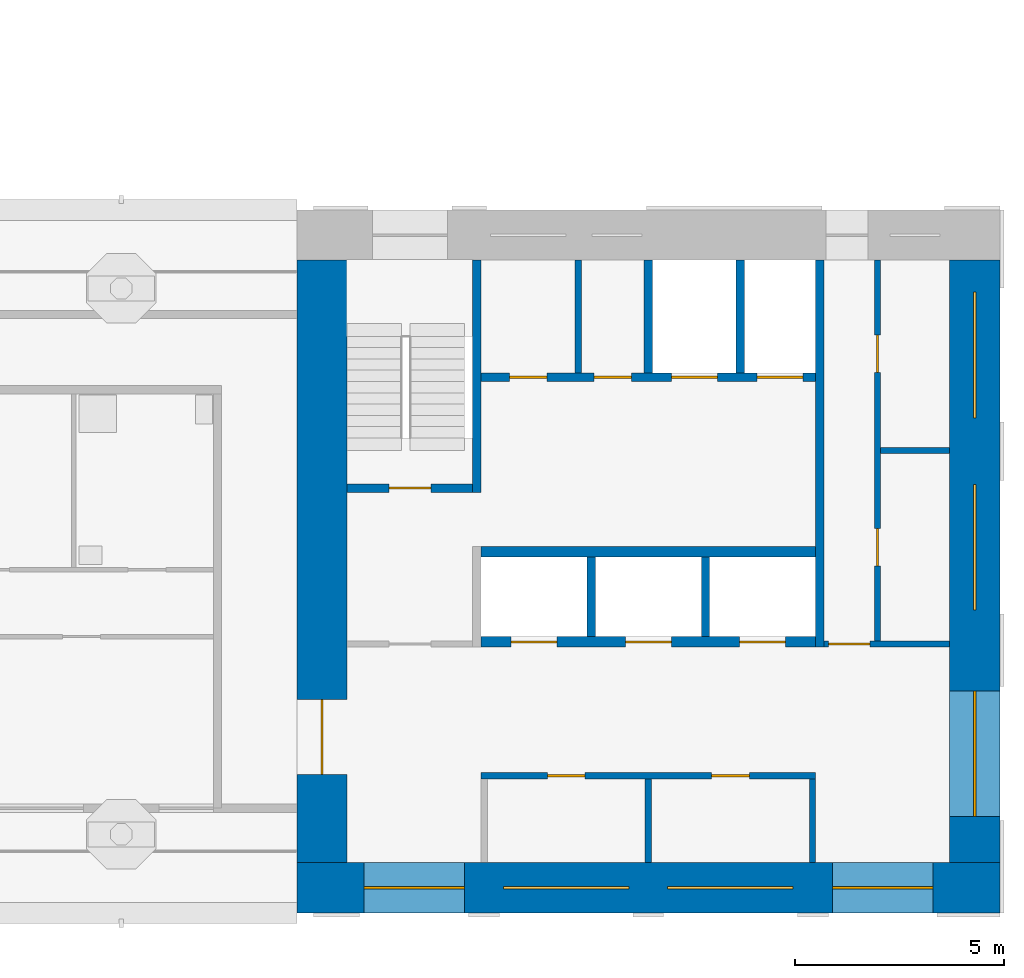
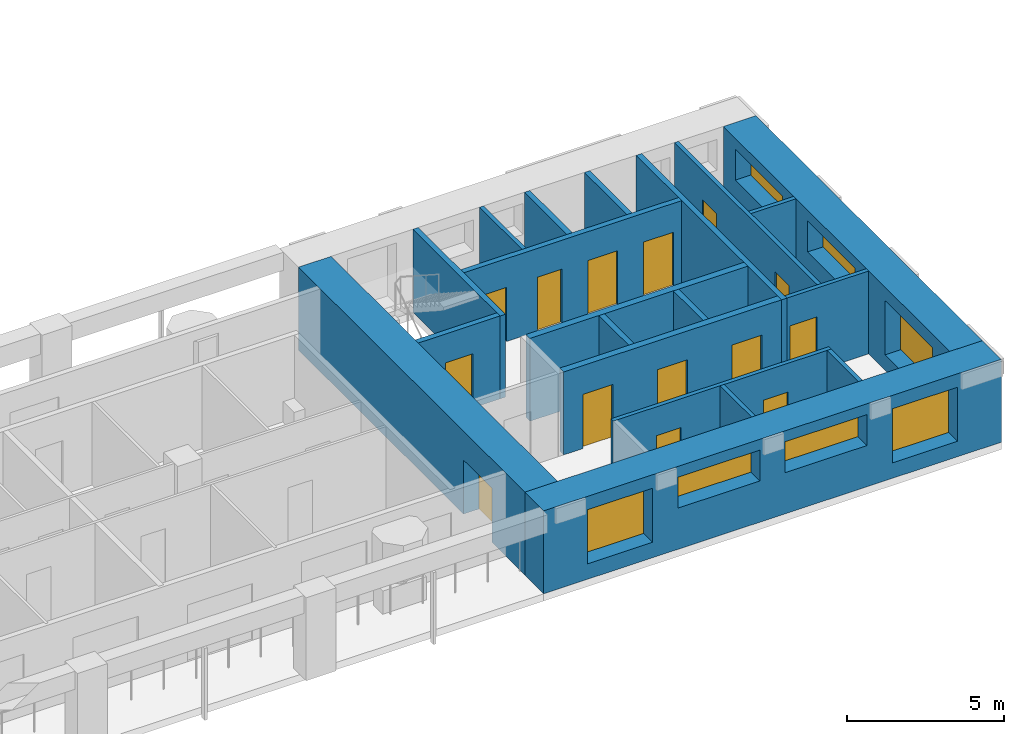
# One storey, part 4 of 11: 20 walls, 14 doors, 7 windows, 21 openings.
"""IFC4 building model written with IfcOpenShell, lengths in metres."""

from ifc_helpers import new_model, si_unit, direction, frame, frame_2d, origin, place, context, subcontext, project, spatial, rectangle, extrude, material, layer, layer_set, type_object, element, fill, save


model = new_model("IFC4")

# Units and contexts
model_context = context("Model", 3, precision=1e-05, world=origin(), true_north=direction((0.0, 1.0)))
body_context = subcontext(model_context, "Body", "Model", "MODEL_VIEW")
ifc_project = project(units=[si_unit("LENGTHUNIT", "METRE"), si_unit("AREAUNIT", "SQUARE_METRE"), si_unit("VOLUMEUNIT", "CUBIC_METRE"), si_unit("PLANEANGLEUNIT", "RADIAN"), si_unit("MASSUNIT", "GRAM", prefix="KILO")], contexts=[model_context])

# Site, building, storey
site_placement = place(None, origin())
site = spatial("IfcSite", under=ifc_project, at=site_placement, CompositionType="ELEMENT")
building_placement = place(site_placement, origin())
building = spatial("IfcBuilding", under=site, at=building_placement, Name="Vermilion Gate Residences", CompositionType="ELEMENT")
storey_placement = place(building_placement, frame((0.0, 0.0, 259.699951171875)))
storey = spatial("IfcBuildingStorey", under=building, at=storey_placement, Name="L68", CompositionType="ELEMENT", Elevation=259.699951171875)

# Walls
ifc_material_1 = material(Name="Masonry blockwork", Category="masonry")
ifc_layer_1 = layer(ifc_material_1, 0.14990234375)
ifc_layer_set_1 = layer_set([ifc_layer_1], Name="BLOCKWORK PARTITION 150 EI 120")
wall_type_1 = type_object("IfcWallType", Name="BLOCKWORK PARTITION 150 EI 120", PredefinedType="PARTITIONING", material=ifc_layer_set_1)
for number, where, z_axis, x_axis, name in (
    (1, (54.324951171875, 9.60009765625, 0.0), (0.0, 0.0, 1.0), (0.0, 1.0, 0.0), "Core room partition A68-RW-E"),
    (2, (50.39990234375, 9.60009765625, 0.0), (0.0, 0.0, 1.0), (0.0, 1.0, 0.0), "Core room partition A68-SR-P0"),
):
    element("IfcWall", number, at=place(storey_placement, frame(where, z_axis=z_axis, x_axis=x_axis)), inside=storey, type_object=wall_type_1, Name=name, PredefinedType="PARTITIONING", context=body_context, shape_type="SweptSolid", body=[
        extrude(rectangle(XDim=2.0, YDim=0.14990234375, at=frame_2d((1.0, 0.0))), origin(), (0.0, 0.0, 1.0), 3.219970703125),
    ])

# Wall, openings, doors
wall_1_placement = place(storey_placement, frame((46.39990234375, 11.675048828125, 0.0), z_axis=(0.0, 0.0, 1.0), x_axis=(1.0, 0.0, 0.0)))
wall_1 = element("IfcWall", 3, at=wall_1_placement, inside=storey, type_object=wall_type_1, Name="Core room partition A68-LR-F", PredefinedType="PARTITIONING", context=body_context, shape_type="SweptSolid", body=[
    extrude(rectangle(XDim=8.0, YDim=0.14990234375, at=frame_2d((4.0, 0.0))), origin(), (0.0, 0.0, 1.0), 3.219970703125),
])
opening_1_placement = place(wall_1_placement, frame((1.58740234375, 0.0, 0.0)))
opening_1 = element("IfcOpeningElement", 4, at=opening_1_placement, cuts=wall_1, Name="Opening DK68002", PredefinedType="OPENING", context=body_context, shape_type="SweptSolid", body=[
    extrude(rectangle(XDim=0.89990234375, YDim=2.10009765625, at=frame_2d((0.449951171875, 1.050048828125))), frame((0.0, 0.0849609375, 0.0), z_axis=(0.0, -1.0, 0.0), x_axis=(1.0, 0.0, 0.0)), (0.0, 0.0, 1.0), 0.169921875),
])
opening_2_placement = place(wall_1_placement, frame((5.512451171875, 0.0, 0.0)))
opening_2 = element("IfcOpeningElement", 5, at=opening_2_placement, cuts=wall_1, Name="Opening DK68003", PredefinedType="OPENING", context=body_context, shape_type="SweptSolid", body=[
    extrude(rectangle(XDim=0.89990234375, YDim=2.10009765625, at=frame_2d((0.449951171875, 1.050048828125))), frame((0.0, 0.0849609375, 0.0), z_axis=(0.0, -1.0, 0.0), x_axis=(1.0, 0.0, 0.0)), (0.0, 0.0, 1.0), 0.169921875),
])
ifc_material_2 = material(Name="Steel", Category="steel")
door_type_1 = type_object("IfcDoorType", Name="SERVICE ROOM DOOR FD60 900 X 2100", OperationType="SINGLE_SWING_LEFT", PredefinedType="DOOR", material=ifc_material_2)
door_1_placement = place(opening_1_placement, frame((0.89990234375, 0.0, 0.0), z_axis=(0.0, 0.0, 1.0), x_axis=(-1.0, 0.0, 0.0)))
door_1 = element("IfcDoor", 6, at=door_1_placement, inside=storey, type_object=door_type_1, Name="Housekeeping store A68", OperationType="SINGLE_SWING_RIGHT", OverallHeight=2.10009765625, OverallWidth=0.89990234375, PredefinedType="DOOR", context=body_context, shape_type="SweptSolid", body=[
    extrude(rectangle(XDim=0.89990234375, YDim=2.10009765625, at=frame_2d((0.449951171875, 1.050048828125))), frame((0.0, 0.02490234375, 0.0), z_axis=(0.0, -1.0, 0.0), x_axis=(1.0, 0.0, 0.0)), (0.0, 0.0, 1.0), 0.050048828125),
])
fill(opening_1, door_1)
door_2_placement = place(opening_2_placement, frame((0.89990234375, 0.0, 0.0), z_axis=(0.0, 0.0, 1.0), x_axis=(-1.0, 0.0, 0.0)))
door_2 = element("IfcDoor", 7, at=door_2_placement, inside=storey, type_object=door_type_1, Name="Fire equipment store A68", OperationType="SINGLE_SWING_RIGHT", OverallHeight=2.10009765625, OverallWidth=0.89990234375, PredefinedType="DOOR", context=body_context, shape_type="SweptSolid", body=[
    extrude(rectangle(XDim=0.89990234375, YDim=2.10009765625, at=frame_2d((0.449951171875, 1.050048828125))), frame((0.0, 0.02490234375, 0.0), z_axis=(0.0, -1.0, 0.0), x_axis=(1.0, 0.0, 0.0)), (0.0, 0.0, 1.0), 0.050048828125),
])
fill(opening_2, door_2)

# Wall
wall_2_placement = place(storey_placement, frame((48.72509765625, 21.300048828125, 0.0), z_axis=(0.0, 0.0, 1.0), x_axis=(0.0, 1.0, 0.0)))
element("IfcWall", 8, at=wall_2_placement, inside=storey, type_object=wall_type_1, Name="Core room partition A68-NR-P0", PredefinedType="PARTITIONING", context=body_context, shape_type="SweptSolid", body=[
    extrude(rectangle(XDim=2.699951171875, YDim=0.14990234375, at=frame_2d((1.35009765625, 0.0))), origin(), (0.0, 0.0, 1.0), 3.219970703125),
])

# Wall, opening, door
wall_3_placement = place(storey_placement, frame((54.60009765625, 14.824951171875, 0.0), z_axis=(0.0, 0.0, 1.0), x_axis=(1.0, 0.0, 0.0)))
wall_3 = element("IfcWall", 9, at=wall_3_placement, inside=storey, type_object=wall_type_1, Name="Core room partition A68-ES-S", PredefinedType="PARTITIONING", context=body_context, shape_type="SweptSolid", body=[
    extrude(rectangle(XDim=3.0, YDim=0.14990234375, at=frame_2d((1.5, 0.0))), origin(), (0.0, 0.0, 1.0), 3.219970703125),
])
opening_3_placement = place(wall_3_placement, frame((0.10009765625, 0.0, 0.0)))
opening_3 = element("IfcOpeningElement", 10, at=opening_3_placement, cuts=wall_3, Name="Opening DK68013", PredefinedType="OPENING", context=body_context, shape_type="SweptSolid", body=[
    extrude(rectangle(XDim=1.0, YDim=2.10009765625, at=frame_2d((0.5, 1.050048828125))), frame((0.0, 0.0849609375, 0.0), z_axis=(0.0, -1.0, 0.0), x_axis=(1.0, 0.0, 0.0)), (0.0, 0.0, 1.0), 0.169921875),
])
ifc_material_3 = material(Name="Steel", Category="steel")
door_type_2 = type_object("IfcDoorType", Name="FIRE DOOR FD60 1000 X 2100", OperationType="SINGLE_SWING_LEFT", PredefinedType="DOOR", material=ifc_material_3)
door_3_placement = place(opening_3_placement, frame((1.0, 0.0, 0.0), z_axis=(0.0, 0.0, 1.0), x_axis=(-1.0, 0.0, 0.0)))
door_3 = element("IfcDoor", 11, at=door_3_placement, inside=storey, type_object=door_type_2, Name="Service corridor door A68", OperationType="SINGLE_SWING_LEFT", OverallHeight=2.10009765625, OverallWidth=1.0, PredefinedType="DOOR", context=body_context, shape_type="SweptSolid", body=[
    extrude(rectangle(XDim=1.0, YDim=2.10009765625, at=frame_2d((0.5, 1.050048828125))), frame((0.0, 0.02490234375, 0.0), z_axis=(0.0, -1.0, 0.0), x_axis=(1.0, 0.0, 0.0)), (0.0, 0.0, 1.0), 0.050048828125),
])
fill(opening_3, door_3)

# Wall
wall_4_placement = place(storey_placement, frame((55.949951171875, 19.449951171875, 0.0), z_axis=(0.0, 0.0, 1.0), x_axis=(1.0, 0.0, 0.0)))
element("IfcWall", 12, at=wall_4_placement, inside=storey, type_object=wall_type_1, Name="Core room partition A68-ES-P0", PredefinedType="PARTITIONING", context=body_context, shape_type="SweptSolid", body=[
    extrude(rectangle(XDim=1.650146484375, YDim=0.14990234375, at=frame_2d((0.8251953125, 0.0))), origin(), (0.0, 0.0, 1.0), 3.219970703125),
])

# Wall, openings, doors
wall_5_placement = place(storey_placement, frame((55.875, 14.89990234375, 0.0), z_axis=(0.0, 0.0, 1.0), x_axis=(0.0, 1.0, 0.0)))
wall_5 = element("IfcWall", 13, at=wall_5_placement, inside=storey, type_object=wall_type_1, Name="Core room partition A68-ES-W", PredefinedType="PARTITIONING", context=body_context, shape_type="SweptSolid", body=[
    extrude(rectangle(XDim=9.10009765625, YDim=0.14990234375, at=frame_2d((4.550048828125, 0.0))), origin(), (0.0, 0.0, 1.0), 3.219970703125),
])
opening_4_placement = place(wall_5_placement, frame((1.78759765625, 0.0, 0.0)))
opening_4 = element("IfcOpeningElement", 14, at=opening_4_placement, cuts=wall_5, Name="Opening DK68014", PredefinedType="OPENING", context=body_context, shape_type="SweptSolid", body=[
    extrude(rectangle(XDim=0.89990234375, YDim=2.10009765625, at=frame_2d((0.449951171875, 1.050048828125))), frame((0.0, 0.0849609375, 0.0), z_axis=(0.0, -1.0, 0.0), x_axis=(1.0, 0.0, 0.0)), (0.0, 0.0, 1.0), 0.169921875),
])
opening_5_placement = place(wall_5_placement, frame((6.41259765625, 0.0, 0.0)))
opening_5 = element("IfcOpeningElement", 15, at=opening_5_placement, cuts=wall_5, Name="Opening DK68015", PredefinedType="OPENING", context=body_context, shape_type="SweptSolid", body=[
    extrude(rectangle(XDim=0.89990234375, YDim=2.10009765625, at=frame_2d((0.449951171875, 1.050048828125))), frame((0.0, 0.0849609375, 0.0), z_axis=(0.0, -1.0, 0.0), x_axis=(1.0, 0.0, 0.0)), (0.0, 0.0, 1.0), 0.169921875),
])
door_4_placement = place(opening_4_placement, frame((0.89990234375, 0.0, 0.0), z_axis=(0.0, 0.0, 1.0), x_axis=(-1.0, 0.0, 0.0)))
door_4 = element("IfcDoor", 16, at=door_4_placement, inside=storey, type_object=door_type_1, Name="Electrical room A68", OperationType="SINGLE_SWING_RIGHT", OverallHeight=2.10009765625, OverallWidth=0.89990234375, PredefinedType="DOOR", context=body_context, shape_type="SweptSolid", body=[
    extrude(rectangle(XDim=0.89990234375, YDim=2.10009765625, at=frame_2d((0.449951171875, 1.050048828125))), frame((0.0, 0.02490234375, 0.0), z_axis=(0.0, -1.0, 0.0), x_axis=(1.0, 0.0, 0.0)), (0.0, 0.0, 1.0), 0.050048828125),
])
fill(opening_4, door_4)
door_5_placement = place(opening_5_placement, frame((0.89990234375, 0.0, 0.0), z_axis=(0.0, 0.0, 1.0), x_axis=(-1.0, 0.0, 0.0)))
door_5 = element("IfcDoor", 17, at=door_5_placement, inside=storey, type_object=door_type_1, Name="Storage room A68", OperationType="SINGLE_SWING_RIGHT", OverallHeight=2.10009765625, OverallWidth=0.89990234375, PredefinedType="DOOR", context=body_context, shape_type="SweptSolid", body=[
    extrude(rectangle(XDim=0.89990234375, YDim=2.10009765625, at=frame_2d((0.449951171875, 1.050048828125))), frame((0.0, 0.02490234375, 0.0), z_axis=(0.0, -1.0, 0.0), x_axis=(1.0, 0.0, 0.0)), (0.0, 0.0, 1.0), 0.050048828125),
])
fill(opening_5, door_5)

# Walls
ifc_material_4 = material(Name="Concrete C60", Category="concrete")
ifc_layer_2 = layer(ifc_material_4, 0.199951171875)
ifc_layer_set_2 = layer_set([ifc_layer_2], Name="RC CORE INTERNAL WALL 200 C60")
wall_type_2 = type_object("IfcWallType", Name="RC CORE INTERNAL WALL 200 C60", PredefinedType="SHEAR", material=ifc_layer_set_2)
for number, where, z_axis, x_axis, name in (
    (18, (49.033447265625, 15.0, 0.0), (0.0, 0.0, 1.0), (0.0, 1.0, 0.0), "Core internal wall A68-HR-D1"),
    (19, (51.7666015625, 15.0, 0.0), (0.0, 0.0, 1.0), (0.0, 1.0, 0.0), "Core internal wall A68-HR-D2"),
):
    element("IfcWall", number, at=place(storey_placement, frame(where, z_axis=z_axis, x_axis=x_axis)), inside=storey, type_object=wall_type_2, Name=name, PredefinedType="SHEAR", context=body_context, shape_type="SweptSolid", body=[
        extrude(rectangle(XDim=1.89990234375, YDim=0.199951171875, at=frame_2d((0.949951171875, 0.0))), origin(), (0.0, 0.0, 1.0), 3.219970703125),
    ])
for number, where, z_axis, x_axis, name in (
    (20, (50.39990234375, 21.300048828125, 0.0), (0.0, 0.0, 1.0), (0.0, 1.0, 0.0), "Core internal wall A68-FF-D0"),
    (21, (52.60009765625, 21.300048828125, 0.0), (0.0, 0.0, 1.0), (0.0, 1.0, 0.0), "Core internal wall A68-FF-D1"),
):
    element("IfcWall", number, at=place(storey_placement, frame(where, z_axis=z_axis, x_axis=x_axis)), inside=storey, type_object=wall_type_2, Name=name, PredefinedType="SHEAR", context=body_context, shape_type="SweptSolid", body=[
        extrude(rectangle(XDim=2.699951171875, YDim=0.199951171875, at=frame_2d((1.35009765625, 0.0))), origin(), (0.0, 0.0, 1.0), 3.219970703125),
    ])

# Wall, openings, doors
wall_6_placement = place(storey_placement, frame((46.39990234375, 21.199951171875, 0.0), z_axis=(0.0, 0.0, 1.0), x_axis=(1.0, 0.0, 0.0)))
wall_6 = element("IfcWall", 22, at=wall_6_placement, inside=storey, type_object=wall_type_2, Name="Core internal wall A68-FF-F", PredefinedType="SHEAR", context=body_context, shape_type="SweptSolid", body=[
    extrude(rectangle(XDim=8.0, YDim=0.199951171875, at=frame_2d((4.0, 0.0))), origin(), (0.0, 0.0, 1.0), 3.219970703125),
])
opening_6_placement = place(wall_6_placement, frame((0.675048828125, 0.0, 0.0)))
opening_6 = element("IfcOpeningElement", 23, at=opening_6_placement, cuts=wall_6, Name="Opening DK68007", PredefinedType="OPENING", context=body_context, shape_type="SweptSolid", body=[
    extrude(rectangle(XDim=0.89990234375, YDim=2.10009765625, at=frame_2d((0.449951171875, 1.050048828125))), frame((0.0, 0.10986328125, 0.0), z_axis=(0.0, -1.0, 0.0), x_axis=(1.0, 0.0, 0.0)), (0.0, 0.0, 1.0), 0.219970703125),
])
opening_7_placement = place(wall_6_placement, frame((2.699951171875, 0.0, 0.0)))
opening_7 = element("IfcOpeningElement", 24, at=opening_7_placement, cuts=wall_6, Name="Opening DK68008", PredefinedType="OPENING", context=body_context, shape_type="SweptSolid", body=[
    extrude(rectangle(XDim=0.89990234375, YDim=2.10009765625, at=frame_2d((0.449951171875, 1.050048828125))), frame((0.0, 0.10986328125, 0.0), z_axis=(0.0, -1.0, 0.0), x_axis=(1.0, 0.0, 0.0)), (0.0, 0.0, 1.0), 0.219970703125),
])
opening_8_placement = place(wall_6_placement, frame((4.550048828125, 0.0, 0.0)))
opening_8 = element("IfcOpeningElement", 25, at=opening_8_placement, cuts=wall_6, Name="Opening LD", PredefinedType="OPENING", context=body_context, shape_type="SweptSolid", body=[
    extrude(rectangle(XDim=1.10009765625, YDim=2.10009765625, at=frame_2d((0.550048828125, 1.050048828125))), frame((0.0, 0.10986328125, 0.0), z_axis=(0.0, -1.0, 0.0), x_axis=(1.0, 0.0, 0.0)), (0.0, 0.0, 1.0), 0.219970703125),
])
opening_9_placement = place(wall_6_placement, frame((6.60009765625, 0.0, 0.0)))
opening_9 = element("IfcOpeningElement", 26, at=opening_9_placement, cuts=wall_6, Name="Opening LD", PredefinedType="OPENING", context=body_context, shape_type="SweptSolid", body=[
    extrude(rectangle(XDim=1.10009765625, YDim=2.10009765625, at=frame_2d((0.550048828125, 1.050048828125))), frame((0.0, 0.10986328125, 0.0), z_axis=(0.0, -1.0, 0.0), x_axis=(1.0, 0.0, 0.0)), (0.0, 0.0, 1.0), 0.219970703125),
])
ifc_material_5 = material(Name="Stainless steel", Category="steel")
door_type_3 = type_object("IfcDoorType", Name="LIFT LANDING DOOR E60 1100 X 2100", OperationType="DOUBLE_DOOR_SLIDING", PredefinedType="DOOR", material=ifc_material_5)
door_6_placement = place(opening_8_placement, origin())
door_6 = element("IfcDoor", 27, at=door_6_placement, inside=storey, type_object=door_type_3, Name="Lift landing door LFA1", OperationType="DOUBLE_DOOR_SLIDING", OverallHeight=2.10009765625, OverallWidth=1.10009765625, PredefinedType="DOOR", context=body_context, shape_type="SweptSolid", body=[
    extrude(rectangle(XDim=1.10009765625, YDim=2.10009765625, at=frame_2d((0.550048828125, 1.050048828125))), frame((0.0, 0.02490234375, 0.0), z_axis=(0.0, -1.0, 0.0), x_axis=(1.0, 0.0, 0.0)), (0.0, 0.0, 1.0), 0.050048828125),
])
fill(opening_8, door_6)
door_7_placement = place(opening_9_placement, origin())
door_7 = element("IfcDoor", 28, at=door_7_placement, inside=storey, type_object=door_type_3, Name="Lift landing door LCA1", OperationType="DOUBLE_DOOR_SLIDING", OverallHeight=2.10009765625, OverallWidth=1.10009765625, PredefinedType="DOOR", context=body_context, shape_type="SweptSolid", body=[
    extrude(rectangle(XDim=1.10009765625, YDim=2.10009765625, at=frame_2d((0.550048828125, 1.050048828125))), frame((0.0, 0.02490234375, 0.0), z_axis=(0.0, -1.0, 0.0), x_axis=(1.0, 0.0, 0.0)), (0.0, 0.0, 1.0), 0.050048828125),
])
fill(opening_9, door_7)
door_8_placement = place(opening_6_placement, origin())
door_8 = element("IfcDoor", 29, at=door_8_placement, inside=storey, type_object=door_type_1, Name="Parcel room A68", OperationType="SINGLE_SWING_LEFT", OverallHeight=2.10009765625, OverallWidth=0.89990234375, PredefinedType="DOOR", context=body_context, shape_type="SweptSolid", body=[
    extrude(rectangle(XDim=0.89990234375, YDim=2.10009765625, at=frame_2d((0.449951171875, 1.050048828125))), frame((0.0, 0.02490234375, 0.0), z_axis=(0.0, -1.0, 0.0), x_axis=(1.0, 0.0, 0.0)), (0.0, 0.0, 1.0), 0.050048828125),
])
fill(opening_6, door_8)
door_9_placement = place(opening_7_placement, frame((0.89990234375, 0.0, 0.0), z_axis=(0.0, 0.0, 1.0), x_axis=(-1.0, 0.0, 0.0)))
door_9 = element("IfcDoor", 30, at=door_9_placement, inside=storey, type_object=door_type_1, Name="Electrical room A68", OperationType="SINGLE_SWING_RIGHT", OverallHeight=2.10009765625, OverallWidth=0.89990234375, PredefinedType="DOOR", context=body_context, shape_type="SweptSolid", body=[
    extrude(rectangle(XDim=0.89990234375, YDim=2.10009765625, at=frame_2d((0.449951171875, 1.050048828125))), frame((0.0, 0.02490234375, 0.0), z_axis=(0.0, -1.0, 0.0), x_axis=(1.0, 0.0, 0.0)), (0.0, 0.0, 1.0), 0.050048828125),
])
fill(opening_7, door_9)

# Wall
wall_7_placement = place(storey_placement, frame((46.300048828125, 18.449951171875, 0.0), z_axis=(0.0, 0.0, 1.0), x_axis=(0.0, 1.0, 0.0)))
element("IfcWall", 31, at=wall_7_placement, inside=storey, type_object=wall_type_2, Name="Core internal wall A68-WDIV2", PredefinedType="SHEAR", context=body_context, shape_type="SweptSolid", body=[
    extrude(rectangle(XDim=5.550048828125, YDim=0.199951171875, at=frame_2d((2.77490234375, 0.0))), origin(), (0.0, 0.0, 1.0), 3.219970703125),
])

# Wall, opening, door
wall_8_placement = place(storey_placement, frame((43.199951171875, 18.550048828125, 0.0), z_axis=(0.0, 0.0, 1.0), x_axis=(1.0, 0.0, 0.0)))
wall_8 = element("IfcWall", 32, at=wall_8_placement, inside=storey, type_object=wall_type_2, Name="Core internal wall A68-STW-S", PredefinedType="SHEAR", context=body_context, shape_type="SweptSolid", body=[
    extrude(rectangle(XDim=3.0, YDim=0.199951171875, at=frame_2d((1.5, 0.0))), origin(), (0.0, 0.0, 1.0), 3.219970703125),
])
opening_10_placement = place(wall_8_placement, frame((1.0, 0.0, 0.0)))
opening_10 = element("IfcOpeningElement", 33, at=opening_10_placement, cuts=wall_8, Name="Opening DK68012", PredefinedType="OPENING", context=body_context, shape_type="SweptSolid", body=[
    extrude(rectangle(XDim=1.0, YDim=2.10009765625, at=frame_2d((0.5, 1.050048828125))), frame((0.0, 0.10986328125, 0.0), z_axis=(0.0, -1.0, 0.0), x_axis=(1.0, 0.0, 0.0)), (0.0, 0.0, 1.0), 0.219970703125),
])
door_10_placement = place(opening_10_placement, origin())
door_10 = element("IfcDoor", 34, at=door_10_placement, inside=storey, type_object=door_type_2, Name="Stair door A68", OperationType="SINGLE_SWING_LEFT", OverallHeight=2.10009765625, OverallWidth=1.0, PredefinedType="DOOR", context=body_context, shape_type="SweptSolid", body=[
    extrude(rectangle(XDim=1.0, YDim=2.10009765625, at=frame_2d((0.5, 1.050048828125))), frame((0.0, 0.02490234375, 0.0), z_axis=(0.0, -1.0, 0.0), x_axis=(1.0, 0.0, 0.0)), (0.0, 0.0, 1.0), 0.050048828125),
])
fill(opening_10, door_10)

# Wall
wall_9_placement = place(storey_placement, frame((54.5, 14.75, 0.0), z_axis=(0.0, 0.0, 1.0), x_axis=(0.0, 1.0, 0.0)))
element("IfcWall", 35, at=wall_9_placement, inside=storey, type_object=wall_type_2, Name="Core internal wall A68-EDIV", PredefinedType="SHEAR", context=body_context, shape_type="SweptSolid", body=[
    extrude(rectangle(XDim=9.25, YDim=0.199951171875, at=frame_2d((4.625, 0.0))), origin(), (0.0, 0.0, 1.0), 3.219970703125),
])

# Wall, opening, door
ifc_material_6 = material(Name="Concrete C50", Category="concrete")
ifc_layer_3 = layer(ifc_material_6, 1.199951171875)
ifc_layer_set_3 = layer_set([ifc_layer_3], Name="RC CORE WALL 1200 C50")
wall_type_3 = type_object("IfcWallType", Name="RC CORE WALL 1200 C50", PredefinedType="SHEAR", material=ifc_layer_set_3)
wall_10_placement = place(storey_placement, frame((42.60009765625, 9.60009765625, 0.0), z_axis=(0.0, 0.0, 1.0), x_axis=(0.0, 1.0, 0.0)))
wall_10 = element("IfcWall", 36, at=wall_10_placement, inside=storey, type_object=wall_type_3, Name="Core wall A68-OUT-FR", PredefinedType="SHEAR", context=body_context, shape_type="SweptSolid", body=[
    extrude(rectangle(XDim=14.39990234375, YDim=1.199951171875, at=frame_2d((7.199951171875, 0.0))), origin(), (0.0, 0.0, 1.0), 3.219970703125),
])
opening_11_placement = place(wall_10_placement, frame((2.10009765625, 0.0, 0.0)))
opening_11 = element("IfcOpeningElement", 37, at=opening_11_placement, cuts=wall_10, Name="Opening DK68001", PredefinedType="OPENING", context=body_context, shape_type="SweptSolid", body=[
    extrude(rectangle(XDim=1.800048828125, YDim=2.10009765625, at=frame_2d((0.89990234375, 1.050048828125))), frame((0.0, 0.60986328125, 0.0), z_axis=(0.0, -1.0, 0.0), x_axis=(1.0, 0.0, 0.0)), (0.0, 0.0, 1.0), 1.219970703125),
])
ifc_material_7 = material(Name="Steel", Category="steel")
door_type_4 = type_object("IfcDoorType", Name="CORE LOBBY DOOR FD60 1800 X 2100", OperationType="DOUBLE_DOOR_SINGLE_SWING", PredefinedType="DOOR", material=ifc_material_7)
door_11_placement = place(opening_11_placement, frame((1.800048828125, 0.0, 0.0), z_axis=(0.0, 0.0, 1.0), x_axis=(-1.0, 0.0, 0.0)))
door_11 = element("IfcDoor", 38, at=door_11_placement, inside=storey, type_object=door_type_4, Name="Core lobby door A68", OperationType="DOUBLE_DOOR_SINGLE_SWING", OverallHeight=2.10009765625, OverallWidth=1.800048828125, PredefinedType="DOOR", context=body_context, shape_type="SweptSolid", body=[
    extrude(rectangle(XDim=1.800048828125, YDim=2.10009765625, at=frame_2d((0.89990234375, 1.050048828125))), frame((0.0, 0.02490234375, 0.0), z_axis=(0.0, -1.0, 0.0), x_axis=(1.0, 0.0, 0.0)), (0.0, 0.0, 1.0), 0.050048828125),
])
fill(opening_11, door_11)

# Wall, openings, windows
ifc_material_8 = material(Name="Concrete C50 red-oxide pigmented", Category="concrete")
ifc_layer_4 = layer(ifc_material_8, 1.199951171875)
ifc_layer_set_4 = layer_set([ifc_layer_4], Name="RC CORE WALL 1200 C50 RED OXIDE")
wall_type_4 = type_object("IfcWallType", Name="RC CORE WALL 1200 C50 RED OXIDE", PredefinedType="SHEAR", material=ifc_layer_set_4)
wall_11_placement = place(storey_placement, frame((42.0, 9.0, 0.0), z_axis=(0.0, 0.0, 1.0), x_axis=(1.0, 0.0, 0.0)))
wall_11 = element("IfcWall", 39, at=wall_11_placement, inside=storey, type_object=wall_type_4, Name="Core wall A68-OUT-B0", PredefinedType="SHEAR", context=body_context, shape_type="SweptSolid", body=[
    extrude(rectangle(XDim=16.800048828125, YDim=1.199951171875, at=frame_2d((8.39990234375, 0.0))), origin(), (0.0, 0.0, 1.0), 3.219970703125),
])
opening_12_placement = place(wall_11_placement, frame((1.60009765625, 0.0, 0.60009765625)))
opening_12 = element("IfcOpeningElement", 40, at=opening_12_placement, cuts=wall_11, Name="Opening WKA6801", PredefinedType="OPENING", context=body_context, shape_type="SweptSolid", body=[
    extrude(rectangle(XDim=2.39990234375, YDim=2.10009765625, at=frame_2d((1.199951171875, 1.050048828125))), frame((0.0, 0.60986328125, 0.0), z_axis=(0.0, -1.0, 0.0), x_axis=(1.0, 0.0, 0.0)), (0.0, 0.0, 1.0), 1.219970703125),
])
opening_13_placement = place(wall_11_placement, frame((4.9375, 0.0, 1.60009765625)))
opening_13 = element("IfcOpeningElement", 41, at=opening_13_placement, cuts=wall_11, Name="Opening WKA6802", PredefinedType="OPENING", context=body_context, shape_type="SweptSolid", body=[
    extrude(rectangle(XDim=3.0, YDim=1.199951171875, at=frame_2d((1.5, 0.60009765625))), frame((0.0, 0.60986328125, 0.0), z_axis=(0.0, -1.0, 0.0), x_axis=(1.0, 0.0, 0.0)), (0.0, 0.0, 1.0), 1.219970703125),
])
opening_14_placement = place(wall_11_placement, frame((8.862548828125, 0.0, 1.60009765625)))
opening_14 = element("IfcOpeningElement", 42, at=opening_14_placement, cuts=wall_11, Name="Opening WKA6803", PredefinedType="OPENING", context=body_context, shape_type="SweptSolid", body=[
    extrude(rectangle(XDim=3.0, YDim=1.199951171875, at=frame_2d((1.5, 0.60009765625))), frame((0.0, 0.60986328125, 0.0), z_axis=(0.0, -1.0, 0.0), x_axis=(1.0, 0.0, 0.0)), (0.0, 0.0, 1.0), 1.219970703125),
])
opening_15_placement = place(wall_11_placement, frame((12.800048828125, 0.0, 0.60009765625)))
opening_15 = element("IfcOpeningElement", 43, at=opening_15_placement, cuts=wall_11, Name="Opening WKA6804", PredefinedType="OPENING", context=body_context, shape_type="SweptSolid", body=[
    extrude(rectangle(XDim=2.39990234375, YDim=2.10009765625, at=frame_2d((1.199951171875, 1.050048828125))), frame((0.0, 0.60986328125, 0.0), z_axis=(0.0, -1.0, 0.0), x_axis=(1.0, 0.0, 0.0)), (0.0, 0.0, 1.0), 1.219970703125),
])
ifc_material_9 = material(Name="Aluminium and clear glass", Category="aluminium")
window_type_1 = type_object("IfcWindowType", Name="CORE LOBBY WINDOW 2400 X 2100", PartitioningType="SINGLE_PANEL", PredefinedType="WINDOW", material=ifc_material_9)
window_1_placement = place(opening_12_placement, origin())
window_1 = element("IfcWindow", 44, at=window_1_placement, inside=storey, type_object=window_type_1, Name="Core lobby window", OverallHeight=2.10009765625, OverallWidth=2.39990234375, PartitioningType="SINGLE_PANEL", PredefinedType="WINDOW", context=body_context, shape_type="SweptSolid", body=[
    extrude(rectangle(XDim=2.39990234375, YDim=2.10009765625, at=frame_2d((1.199951171875, 1.050048828125))), frame((0.0, 0.030029296875, 0.0), z_axis=(0.0, -1.0, 0.0), x_axis=(1.0, 0.0, 0.0)), (0.0, 0.0, 1.0), 0.06005859375),
])
fill(opening_12, window_1)
window_2_placement = place(opening_15_placement, origin())
window_2 = element("IfcWindow", 45, at=window_2_placement, inside=storey, type_object=window_type_1, Name="Core lobby window", OverallHeight=2.10009765625, OverallWidth=2.39990234375, PartitioningType="SINGLE_PANEL", PredefinedType="WINDOW", context=body_context, shape_type="SweptSolid", body=[
    extrude(rectangle(XDim=2.39990234375, YDim=2.10009765625, at=frame_2d((1.199951171875, 1.050048828125))), frame((0.0, 0.030029296875, 0.0), z_axis=(0.0, -1.0, 0.0), x_axis=(1.0, 0.0, 0.0)), (0.0, 0.0, 1.0), 0.06005859375),
])
fill(opening_15, window_2)
ifc_material_10 = material(Name="Aluminium frame with louvre blades", Category="aluminium")
window_type_2 = type_object("IfcWindowType", Name="CORE LOUVRE 3000 X 1200", PartitioningType="SINGLE_PANEL", PredefinedType="WINDOW", material=ifc_material_10)
window_3_placement = place(opening_13_placement, origin())
window_3 = element("IfcWindow", 46, at=window_3_placement, inside=storey, type_object=window_type_2, Name="Core louvre", OverallHeight=1.199951171875, OverallWidth=3.0, PartitioningType="SINGLE_PANEL", PredefinedType="WINDOW", context=body_context, shape_type="SweptSolid", body=[
    extrude(rectangle(XDim=3.0, YDim=1.199951171875, at=frame_2d((1.5, 0.60009765625))), frame((0.0, 0.030029296875, 0.0), z_axis=(0.0, -1.0, 0.0), x_axis=(1.0, 0.0, 0.0)), (0.0, 0.0, 1.0), 0.06005859375),
])
fill(opening_13, window_3)
window_4_placement = place(opening_14_placement, origin())
window_4 = element("IfcWindow", 47, at=window_4_placement, inside=storey, type_object=window_type_2, Name="Core louvre", OverallHeight=1.199951171875, OverallWidth=3.0, PartitioningType="SINGLE_PANEL", PredefinedType="WINDOW", context=body_context, shape_type="SweptSolid", body=[
    extrude(rectangle(XDim=3.0, YDim=1.199951171875, at=frame_2d((1.5, 0.60009765625))), frame((0.0, 0.030029296875, 0.0), z_axis=(0.0, -1.0, 0.0), x_axis=(1.0, 0.0, 0.0)), (0.0, 0.0, 1.0), 0.06005859375),
])
fill(opening_14, window_4)

wall_12_placement = place(storey_placement, frame((58.199951171875, 9.60009765625, 0.0), z_axis=(0.0, 0.0, 1.0), x_axis=(0.0, 1.0, 0.0)))
wall_12 = element("IfcWall", 48, at=wall_12_placement, inside=storey, type_object=wall_type_4, Name="Core wall A68-OUT-BK", PredefinedType="SHEAR", context=body_context, shape_type="SweptSolid", body=[
    extrude(rectangle(XDim=14.39990234375, YDim=1.199951171875, at=frame_2d((7.199951171875, 0.0))), origin(), (0.0, 0.0, 1.0), 3.219970703125),
])
opening_16_placement = place(wall_12_placement, frame((1.10498046875, 0.0, 0.60009765625)))
opening_16 = element("IfcOpeningElement", 49, at=opening_16_placement, cuts=wall_12, Name="Opening WKA6810", PredefinedType="OPENING", context=body_context, shape_type="SweptSolid", body=[
    extrude(rectangle(XDim=3.0, YDim=2.10009765625, at=frame_2d((1.5, 1.050048828125))), frame((0.0, 0.60986328125, 0.0), z_axis=(0.0, -1.0, 0.0), x_axis=(1.0, 0.0, 0.0)), (0.0, 0.0, 1.0), 1.219970703125),
])
opening_17_placement = place(wall_12_placement, frame((6.03759765625, 0.0, 1.60009765625)))
opening_17 = element("IfcOpeningElement", 50, at=opening_17_placement, cuts=wall_12, Name="Opening WKA6811", PredefinedType="OPENING", context=body_context, shape_type="SweptSolid", body=[
    extrude(rectangle(XDim=3.0, YDim=1.199951171875, at=frame_2d((1.5, 0.60009765625))), frame((0.0, 0.60986328125, 0.0), z_axis=(0.0, -1.0, 0.0), x_axis=(1.0, 0.0, 0.0)), (0.0, 0.0, 1.0), 1.219970703125),
])
opening_18_placement = place(wall_12_placement, frame((10.632568359375, 0.0, 1.60009765625)))
opening_18 = element("IfcOpeningElement", 51, at=opening_18_placement, cuts=wall_12, Name="Opening WKA6812", PredefinedType="OPENING", context=body_context, shape_type="SweptSolid", body=[
    extrude(rectangle(XDim=3.0, YDim=1.199951171875, at=frame_2d((1.5, 0.60009765625))), frame((0.0, 0.60986328125, 0.0), z_axis=(0.0, -1.0, 0.0), x_axis=(1.0, 0.0, 0.0)), (0.0, 0.0, 1.0), 1.219970703125),
])
ifc_material_11 = material(Name="Aluminium and clear glass", Category="aluminium")
window_type_3 = type_object("IfcWindowType", Name="CORE LOBBY WINDOW 3000 X 2100", PartitioningType="SINGLE_PANEL", PredefinedType="WINDOW", material=ifc_material_11)
window_5_placement = place(opening_16_placement, origin())
window_5 = element("IfcWindow", 52, at=window_5_placement, inside=storey, type_object=window_type_3, Name="Core lobby window", OverallHeight=2.10009765625, OverallWidth=3.0, PartitioningType="SINGLE_PANEL", PredefinedType="WINDOW", context=body_context, shape_type="SweptSolid", body=[
    extrude(rectangle(XDim=3.0, YDim=2.10009765625, at=frame_2d((1.5, 1.050048828125))), frame((0.0, 0.030029296875, 0.0), z_axis=(0.0, -1.0, 0.0), x_axis=(1.0, 0.0, 0.0)), (0.0, 0.0, 1.0), 0.06005859375),
])
fill(opening_16, window_5)
window_6_placement = place(opening_17_placement, origin())
window_6 = element("IfcWindow", 53, at=window_6_placement, inside=storey, type_object=window_type_2, Name="Core louvre", OverallHeight=1.199951171875, OverallWidth=3.0, PartitioningType="SINGLE_PANEL", PredefinedType="WINDOW", context=body_context, shape_type="SweptSolid", body=[
    extrude(rectangle(XDim=3.0, YDim=1.199951171875, at=frame_2d((1.5, 0.60009765625))), frame((0.0, 0.030029296875, 0.0), z_axis=(0.0, -1.0, 0.0), x_axis=(1.0, 0.0, 0.0)), (0.0, 0.0, 1.0), 0.06005859375),
])
fill(opening_17, window_6)
window_7_placement = place(opening_18_placement, origin())
window_7 = element("IfcWindow", 54, at=window_7_placement, inside=storey, type_object=window_type_2, Name="Core louvre", OverallHeight=1.199951171875, OverallWidth=3.0, PartitioningType="SINGLE_PANEL", PredefinedType="WINDOW", context=body_context, shape_type="SweptSolid", body=[
    extrude(rectangle(XDim=3.0, YDim=1.199951171875, at=frame_2d((1.5, 0.60009765625))), frame((0.0, 0.030029296875, 0.0), z_axis=(0.0, -1.0, 0.0), x_axis=(1.0, 0.0, 0.0)), (0.0, 0.0, 1.0), 0.06005859375),
])
fill(opening_18, window_7)

# Wall, openings, doors
ifc_material_12 = material(Name="Concrete C60", Category="concrete")
ifc_layer_5 = layer(ifc_material_12, 0.25)
ifc_layer_set_5 = layer_set([ifc_layer_5], Name="RC LIFT SHAFT WALL 250 C60")
wall_type_5 = type_object("IfcWallType", Name="RC LIFT SHAFT WALL 250 C60", PredefinedType="SHEAR", material=ifc_layer_set_5)
wall_13_placement = place(storey_placement, frame((46.39990234375, 14.875, 0.0), z_axis=(0.0, 0.0, 1.0), x_axis=(1.0, 0.0, 0.0)))
wall_13 = element("IfcWall", 55, at=wall_13_placement, inside=storey, type_object=wall_type_5, Name="Lift shaft wall A68-HR-F", PredefinedType="SHEAR", context=body_context, shape_type="SweptSolid", body=[
    extrude(rectangle(XDim=8.0, YDim=0.25, at=frame_2d((4.0, 0.0))), origin(), (0.0, 0.0, 1.0), 3.219970703125),
])
opening_19_placement = place(wall_13_placement, frame((0.716552734375, 0.0, 0.0)))
opening_19 = element("IfcOpeningElement", 56, at=opening_19_placement, cuts=wall_13, Name="Opening LD", PredefinedType="OPENING", context=body_context, shape_type="SweptSolid", body=[
    extrude(rectangle(XDim=1.10009765625, YDim=2.10009765625, at=frame_2d((0.550048828125, 1.050048828125))), frame((0.0, 0.135009765625, 0.0), z_axis=(0.0, -1.0, 0.0), x_axis=(1.0, 0.0, 0.0)), (0.0, 0.0, 1.0), 0.27001953125),
])
opening_20_placement = place(wall_13_placement, frame((3.449951171875, 0.0, 0.0)))
opening_20 = element("IfcOpeningElement", 57, at=opening_20_placement, cuts=wall_13, Name="Opening LD", PredefinedType="OPENING", context=body_context, shape_type="SweptSolid", body=[
    extrude(rectangle(XDim=1.10009765625, YDim=2.10009765625, at=frame_2d((0.550048828125, 1.050048828125))), frame((0.0, 0.135009765625, 0.0), z_axis=(0.0, -1.0, 0.0), x_axis=(1.0, 0.0, 0.0)), (0.0, 0.0, 1.0), 0.27001953125),
])
opening_21_placement = place(wall_13_placement, frame((6.183349609375, 0.0, 0.0)))
opening_21 = element("IfcOpeningElement", 58, at=opening_21_placement, cuts=wall_13, Name="Opening LD", PredefinedType="OPENING", context=body_context, shape_type="SweptSolid", body=[
    extrude(rectangle(XDim=1.10009765625, YDim=2.10009765625, at=frame_2d((0.550048828125, 1.050048828125))), frame((0.0, 0.135009765625, 0.0), z_axis=(0.0, -1.0, 0.0), x_axis=(1.0, 0.0, 0.0)), (0.0, 0.0, 1.0), 0.27001953125),
])
door_12_placement = place(opening_19_placement, origin())
door_12 = element("IfcDoor", 59, at=door_12_placement, inside=storey, type_object=door_type_3, Name="Lift landing door HRA1", OperationType="DOUBLE_DOOR_SLIDING", OverallHeight=2.10009765625, OverallWidth=1.10009765625, PredefinedType="DOOR", context=body_context, shape_type="SweptSolid", body=[
    extrude(rectangle(XDim=1.10009765625, YDim=2.10009765625, at=frame_2d((0.550048828125, 1.050048828125))), frame((0.0, 0.02490234375, 0.0), z_axis=(0.0, -1.0, 0.0), x_axis=(1.0, 0.0, 0.0)), (0.0, 0.0, 1.0), 0.050048828125),
])
fill(opening_19, door_12)
door_13_placement = place(opening_20_placement, origin())
door_13 = element("IfcDoor", 60, at=door_13_placement, inside=storey, type_object=door_type_3, Name="Lift landing door HRA2", OperationType="DOUBLE_DOOR_SLIDING", OverallHeight=2.10009765625, OverallWidth=1.10009765625, PredefinedType="DOOR", context=body_context, shape_type="SweptSolid", body=[
    extrude(rectangle(XDim=1.10009765625, YDim=2.10009765625, at=frame_2d((0.550048828125, 1.050048828125))), frame((0.0, 0.02490234375, 0.0), z_axis=(0.0, -1.0, 0.0), x_axis=(1.0, 0.0, 0.0)), (0.0, 0.0, 1.0), 0.050048828125),
])
fill(opening_20, door_13)
door_14_placement = place(opening_21_placement, origin())
door_14 = element("IfcDoor", 61, at=door_14_placement, inside=storey, type_object=door_type_3, Name="Lift landing door HRA3", OperationType="DOUBLE_DOOR_SLIDING", OverallHeight=2.10009765625, OverallWidth=1.10009765625, PredefinedType="DOOR", context=body_context, shape_type="SweptSolid", body=[
    extrude(rectangle(XDim=1.10009765625, YDim=2.10009765625, at=frame_2d((0.550048828125, 1.050048828125))), frame((0.0, 0.02490234375, 0.0), z_axis=(0.0, -1.0, 0.0), x_axis=(1.0, 0.0, 0.0)), (0.0, 0.0, 1.0), 0.050048828125),
])
fill(opening_21, door_14)

# Wall
wall_14_placement = place(storey_placement, frame((46.39990234375, 17.02490234375, 0.0), z_axis=(0.0, 0.0, 1.0), x_axis=(1.0, 0.0, 0.0)))
element("IfcWall", 62, at=wall_14_placement, inside=storey, type_object=wall_type_5, Name="Lift shaft wall A68-HR-B", PredefinedType="SHEAR", context=body_context, shape_type="SweptSolid", body=[
    extrude(rectangle(XDim=8.0, YDim=0.25, at=frame_2d((4.0, 0.0))), origin(), (0.0, 0.0, 1.0), 3.219970703125),
])

save(model, "model.ifc")
